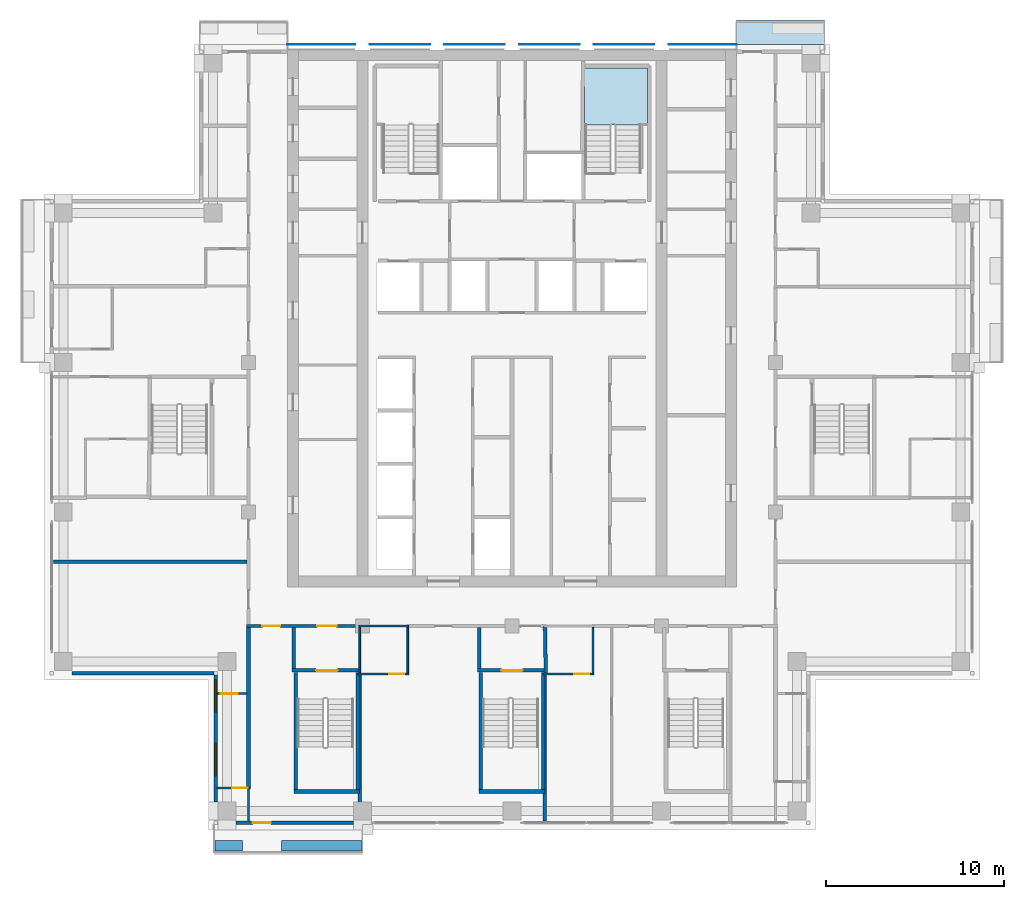
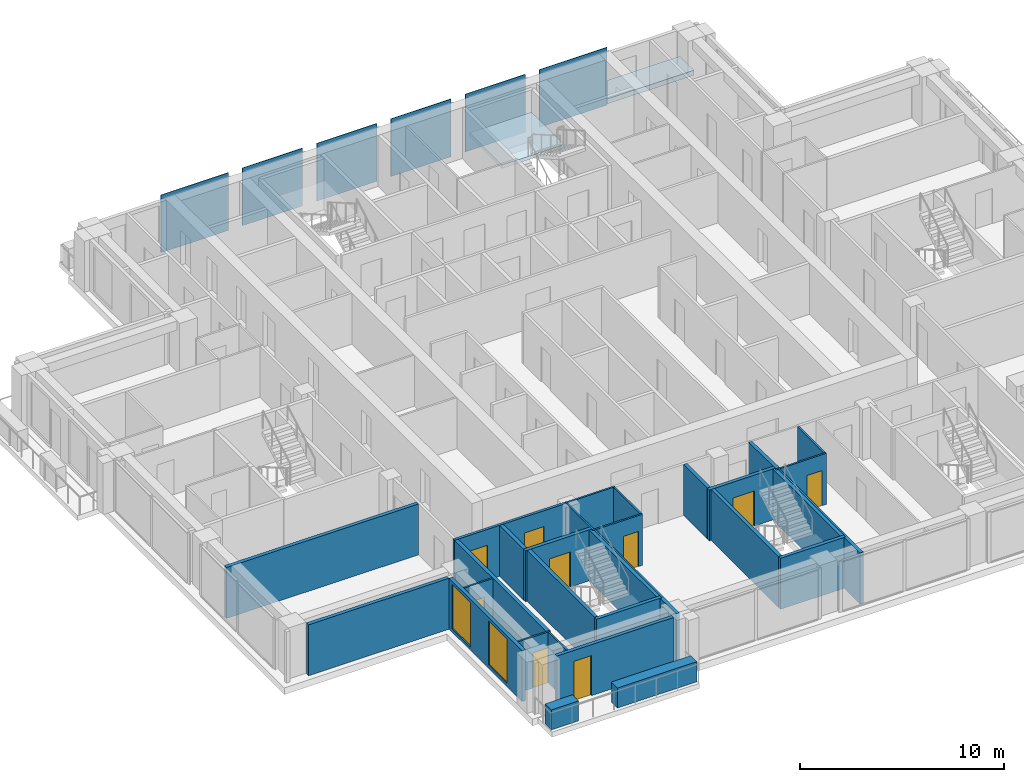
# One storey, part 7 of 16: 30 walls, 9 doors, 6 plates, 2 slabs, 2 windows, 11 openings, 1 element without a shape of its own.
"""IFC4 building model written with IfcOpenShell, lengths in metres."""

from ifc_helpers import new_model, si_unit, direction, frame, frame_2d, origin, origin_2d, place, context, subcontext, project, spatial, polyline, rectangle, outline, extrude, material, layer, layer_set, type_object, element, fill, aggregate, save


model = new_model("IFC4")

# Units and contexts
model_context = context("Model", 3, precision=1e-05, world=origin(), true_north=direction((0.0, 1.0)))
body_context = subcontext(model_context, "Body", "Model", "MODEL_VIEW")
ifc_project = project(units=[si_unit("LENGTHUNIT", "METRE"), si_unit("AREAUNIT", "SQUARE_METRE"), si_unit("VOLUMEUNIT", "CUBIC_METRE"), si_unit("PLANEANGLEUNIT", "RADIAN"), si_unit("MASSUNIT", "GRAM", prefix="KILO")], contexts=[model_context])

# Site, building, storey
site_placement = place(None, origin())
site = spatial("IfcSite", under=ifc_project, at=site_placement, CompositionType="ELEMENT")
building_placement = place(site_placement, origin())
building = spatial("IfcBuilding", under=site, at=building_placement, Name="Vermilion Ogive Tower", CompositionType="ELEMENT")
storey_placement = place(building_placement, frame((0.0, 0.0, 182.449951171875)))
storey = spatial("IfcBuildingStorey", under=building, at=storey_placement, Name="L47", CompositionType="ELEMENT", Elevation=182.449951171875)

# Slab
ifc_material_1 = material(Name="Concrete B40", Category="concrete")
ifc_layer_1 = layer(ifc_material_1, 0.300048828125)
ifc_layer_set_1 = layer_set([ifc_layer_1], Name="Balcony slab")
slab_type_1 = type_object("IfcSlabType", Name="Balcony slab", PredefinedType="FLOOR", material=ifc_layer_set_1)
slab_1_placement = place(storey_placement, frame((0.0, 0.0, -0.33984375)))
element("IfcSlab", 1, at=slab_1_placement, inside=storey, type_object=slab_type_1, Name="Balcony slab N101", PredefinedType="FLOOR", context=body_context, shape_type="SweptSolid", body=[
    extrude(outline(polyline([(17.550048828125, 23.43408203125), (12.60009765625, 23.43408203125), (12.60009765625, 22.050048828125), (17.550048828125, 22.050048828125), (17.550048828125, 23.43408203125)])), origin(), (0.0, 0.0, 1.0), 0.2998046875),
])

# Plates
ifc_material_2 = material(Name="Low-iron laminated glazing in aluminium frame", Category="aluminium")
ifc_layer_2 = layer(ifc_material_2, 0.031982421875)
ifc_layer_set_2 = layer_set([ifc_layer_2], Name="Glazed rainscreen sheet 32")
plate_type = type_object("IfcPlateType", Name="Glazed rainscreen sheet 32", PredefinedType="SHEET", material=ifc_layer_set_2)
plate_1_placement = place(storey_placement, frame((-10.7099609375, 22.06591796875, -0.39990234375), z_axis=(0.0, 0.0, 1.0), x_axis=(1.0, 0.0, 0.0)))
element("IfcPlate", 2, at=plate_1_placement, inside=storey, type_object=plate_type, Name="Glazed rainscreen sheet N1", PredefinedType="SHEET", context=body_context, shape_type="SweptSolid", body=[
    extrude(rectangle(XDim=3.820068359375, YDim=0.031982421875, at=origin_2d()), origin(), (0.0, 0.0, 1.0), 3.449951171875),
])
for number, where, z_axis, x_axis, name in (
    (3, (-6.300048828125, 22.06591796875, -0.39990234375), (0.0, 0.0, 1.0), (1.0, 0.0, 0.0), "Glazed rainscreen sheet N2"),
    (4, (-2.10009765625, 22.06591796875, -0.39990234375), (0.0, 0.0, 1.0), (1.0, 0.0, 0.0), "Glazed rainscreen sheet N3"),
    (5, (2.10009765625, 22.06591796875, -0.39990234375), (0.0, 0.0, 1.0), (1.0, 0.0, 0.0), "Glazed rainscreen sheet N4"),
    (6, (6.300048828125, 22.06591796875, -0.39990234375), (0.0, 0.0, 1.0), (1.0, 0.0, 0.0), "Glazed rainscreen sheet N5"),
):
    element("IfcPlate", number, at=place(storey_placement, frame(where, z_axis=z_axis, x_axis=x_axis)), inside=storey, type_object=plate_type, Name=name, PredefinedType="SHEET", context=body_context, shape_type="SweptSolid", body=[
        extrude(rectangle(XDim=3.39990234375, YDim=0.031982421875, at=origin_2d()), origin(), (0.0, 0.0, 1.0), 3.449951171875),
    ])
plate_2_placement = place(storey_placement, frame((10.7099609375, 22.06591796875, -0.39990234375), z_axis=(0.0, 0.0, 1.0), x_axis=(1.0, 0.0, 0.0)))
element("IfcPlate", 7, at=plate_2_placement, inside=storey, type_object=plate_type, Name="Glazed rainscreen sheet N6", PredefinedType="SHEET", context=body_context, shape_type="SweptSolid", body=[
    extrude(rectangle(XDim=3.820068359375, YDim=0.031982421875, at=origin_2d()), origin(), (0.0, 0.0, 1.0), 3.449951171875),
])

# Stair, slab
ifc_material_3 = material(Name="Concrete B40", Category="concrete")
stair_type = type_object("IfcStairType", Name="Exit stair 1500", PredefinedType="HALF_TURN_STAIR", material=ifc_material_3)
stair_placement = place(storey_placement, origin())
stair = element("IfcStair", 8, at=stair_placement, inside=storey, type_object=stair_type, Name="L47 Exit Stair ST2", PredefinedType="HALF_TURN_STAIR")
ifc_material_4 = material(Name="Concrete B40", Category="concrete")
ifc_layer_3 = layer(ifc_material_4, 0.199951171875)
ifc_layer_set_3 = layer_set([ifc_layer_3], Name="Stair landing 200")
slab_type_2 = type_object("IfcSlabType", Name="Stair landing 200", PredefinedType="LANDING", material=ifc_layer_set_3)
slab_2_placement = place(storey_placement, frame((0.0, 0.0, 1.525146484375)))
slab_2 = element("IfcSlab", 9, at=slab_2_placement, type_object=slab_type_2, Name="ST2 landing 1", PredefinedType="LANDING", context=body_context, shape_type="SweptSolid", body=[
    extrude(outline(polyline([(5.60009765625, 17.550048828125), (5.75, 17.550048828125), (5.75, 17.548095703125), (7.25, 17.548095703125), (7.25, 17.550048828125), (7.60009765625, 17.550048828125), (7.60009765625, 20.75), (4.074951171875, 20.75), (4.074951171875, 17.550048828125), (4.10009765625, 17.550048828125), (4.10009765625, 17.548095703125), (5.60009765625, 17.548095703125), (5.60009765625, 17.550048828125)])), origin(), (0.0, 0.0, 1.0), 0.199951171875),
])
aggregate(stair, [slab_2])

# Wall, opening, door
ifc_material_5 = material(Name="Gypsum board partition on steel studs", Category="steel")
ifc_layer_4 = layer(ifc_material_5, 0.10009765625)
ifc_layer_set_4 = layer_set([ifc_layer_4], Name="Partition 100 bath")
wall_type_1 = type_object("IfcWallType", Name="Partition 100 bath", PredefinedType="PARTITIONING", material=ifc_layer_set_4)
wall_1_placement = place(storey_placement, frame((-16.550048828125, -19.699951171875, 0.0), z_axis=(0.0, 0.0, 1.0), x_axis=(1.0, 0.0, 0.0)))
wall_1 = element("IfcWall", 10, at=wall_1_placement, inside=storey, type_object=wall_type_1, Name="L47-W-W001", PredefinedType="PARTITIONING", context=body_context, shape_type="SweptSolid", body=[
    extrude(rectangle(XDim=1.85009765625, YDim=0.10009765625, at=frame_2d((0.925048828125, 0.0))), origin(), (0.0, 0.0, 1.0), 3.050048828125),
])
opening_1_placement = place(wall_1_placement, frame((0.85009765625, 0.0, 0.0)))
opening_1 = element("IfcOpeningElement", 11, at=opening_1_placement, cuts=wall_1, Name="Opening D4G1003", PredefinedType="OPENING", context=body_context, shape_type="SweptSolid", body=[
    extrude(rectangle(XDim=0.85009765625, YDim=2.10009765625, at=frame_2d((0.425048828125, 1.050048828125))), frame((0.0, 0.06005859375, 0.0), z_axis=(0.0, -1.0, 0.0), x_axis=(1.0, 0.0, 0.0)), (0.0, 0.0, 1.0), 0.1201171875),
])
ifc_material_6 = material(Name="Timber door leaf", Category="wood")
door_type_1 = type_object("IfcDoorType", Name="Bath door 850 x 2100 FD30", OperationType="SINGLE_SWING_LEFT", PredefinedType="DOOR", material=ifc_material_6)
door_1_placement = place(opening_1_placement, origin())
door_1 = element("IfcDoor", 12, at=door_1_placement, inside=storey, type_object=door_type_1, Name="L47-D-D003", OperationType="SINGLE_SWING_RIGHT", OverallHeight=2.10009765625, OverallWidth=0.85009765625, PredefinedType="DOOR", context=body_context, shape_type="SweptSolid", body=[
    extrude(rectangle(XDim=0.85009765625, YDim=2.10009765625, at=frame_2d((0.425048828125, 1.050048828125))), frame((0.0, 0.02490234375, 0.0), z_axis=(0.0, -1.0, 0.0), x_axis=(1.0, 0.0, 0.0)), (0.0, 0.0, 1.0), 0.050048828125),
])
fill(opening_1, door_1)

wall_2_placement = place(storey_placement, frame((-8.64990234375, -13.300048828125, 0.0), z_axis=(0.0, 0.0, 1.0), x_axis=(1.0, 0.0, 0.0)))
wall_2 = element("IfcWall", 13, at=wall_2_placement, inside=storey, type_object=wall_type_1, Name="L47-W-W008", PredefinedType="PARTITIONING", context=body_context, shape_type="SweptSolid", body=[
    extrude(rectangle(XDim=2.847900390625, YDim=0.10009765625, at=frame_2d((1.423828125, 0.0))), origin(), (0.0, 0.0, 1.0), 3.050048828125),
])
opening_2_placement = place(wall_2_placement, frame((1.75, 0.0, 0.0)))
opening_2 = element("IfcOpeningElement", 14, at=opening_2_placement, cuts=wall_2, Name="Opening D4G1013", PredefinedType="OPENING", context=body_context, shape_type="SweptSolid", body=[
    extrude(rectangle(XDim=0.85009765625, YDim=2.10009765625, at=frame_2d((0.425048828125, 1.050048828125))), frame((0.0, 0.06005859375, 0.0), z_axis=(0.0, -1.0, 0.0), x_axis=(1.0, 0.0, 0.0)), (0.0, 0.0, 1.0), 0.1201171875),
])
door_2_placement = place(opening_2_placement, origin())
door_2 = element("IfcDoor", 15, at=door_2_placement, inside=storey, type_object=door_type_1, Name="L47-D-D013", OperationType="SINGLE_SWING_RIGHT", OverallHeight=2.10009765625, OverallWidth=0.85009765625, PredefinedType="DOOR", context=body_context, shape_type="SweptSolid", body=[
    extrude(rectangle(XDim=0.85009765625, YDim=2.10009765625, at=frame_2d((0.425048828125, 1.050048828125))), frame((0.0, 0.02490234375, 0.0), z_axis=(0.0, -1.0, 0.0), x_axis=(1.0, 0.0, 0.0)), (0.0, 0.0, 1.0), 0.050048828125),
])
fill(opening_2, door_2)

wall_3_placement = place(storey_placement, frame((1.75, -13.300048828125, 0.0), z_axis=(0.0, 0.0, 1.0), x_axis=(1.0, 0.0, 0.0)))
wall_3 = element("IfcWall", 16, at=wall_3_placement, inside=storey, type_object=wall_type_1, Name="L47-W-W009", PredefinedType="PARTITIONING", context=body_context, shape_type="SweptSolid", body=[
    extrude(rectangle(XDim=2.85009765625, YDim=0.10009765625, at=frame_2d((1.425048828125, 0.0))), origin(), (0.0, 0.0, 1.0), 3.050048828125),
])
opening_3_placement = place(wall_3_placement, frame((1.75, 0.0, 0.0)))
opening_3 = element("IfcOpeningElement", 17, at=opening_3_placement, cuts=wall_3, Name="Opening D4G1016", PredefinedType="OPENING", context=body_context, shape_type="SweptSolid", body=[
    extrude(rectangle(XDim=0.85009765625, YDim=2.10009765625, at=frame_2d((0.425048828125, 1.050048828125))), frame((0.0, 0.06005859375, 0.0), z_axis=(0.0, -1.0, 0.0), x_axis=(1.0, 0.0, 0.0)), (0.0, 0.0, 1.0), 0.1201171875),
])
door_3_placement = place(opening_3_placement, origin())
door_3 = element("IfcDoor", 18, at=door_3_placement, inside=storey, type_object=door_type_1, Name="L47-D-D016", OperationType="SINGLE_SWING_RIGHT", OverallHeight=2.10009765625, OverallWidth=0.85009765625, PredefinedType="DOOR", context=body_context, shape_type="SweptSolid", body=[
    extrude(rectangle(XDim=0.85009765625, YDim=2.10009765625, at=frame_2d((0.425048828125, 1.050048828125))), frame((0.0, 0.02490234375, 0.0), z_axis=(0.0, -1.0, 0.0), x_axis=(1.0, 0.0, 0.0)), (0.0, 0.0, 1.0), 0.050048828125),
])
fill(opening_3, door_3)

# Walls
wall_4_placement = place(storey_placement, frame((-8.60009765625, -10.60009765625, 0.0), z_axis=(0.0, 0.0, 1.0), x_axis=(1.0, 0.0, 0.0)))
element("IfcWall", 19, at=wall_4_placement, inside=storey, type_object=wall_type_1, Name="L47-W-W014", PredefinedType="PARTITIONING", context=body_context, shape_type="SweptSolid", body=[
    extrude(rectangle(XDim=2.800048828125, YDim=0.10009765625, at=frame_2d((1.39990234375, 0.0))), origin(), (0.0, 0.0, 1.0), 3.050048828125),
])
wall_5_placement = place(storey_placement, frame((-14.800048828125, -21.550048828125, 0.0), z_axis=(0.0, 0.0, 1.0), x_axis=(0.0, 1.0, 0.0)))
element("IfcWall", 20, at=wall_5_placement, inside=storey, type_object=wall_type_1, Name="L47-W-W048", PredefinedType="PARTITIONING", context=body_context, shape_type="SweptSolid", body=[
    extrude(rectangle(XDim=1.800048828125, YDim=0.10009765625, at=frame_2d((0.89990234375, 0.0))), origin(), (0.0, 0.0, 1.0), 3.050048828125),
])
wall_6_placement = place(storey_placement, frame((-8.550048828125, -13.25, 0.0), z_axis=(0.0, 0.0, 1.0), x_axis=(0.0, 1.0, 0.0)))
element("IfcWall", 21, at=wall_6_placement, inside=storey, type_object=wall_type_1, Name="L47-W-W057", PredefinedType="PARTITIONING", context=body_context, shape_type="SweptSolid", body=[
    extrude(rectangle(XDim=2.574951171875, YDim=0.10009765625, at=frame_2d((1.28759765625, 0.0))), origin(), (0.0, 0.0, 1.0), 3.050048828125),
])
wall_7_placement = place(storey_placement, frame((-5.85009765625, -13.248046875, 0.0), z_axis=(0.0, 0.0, 1.0), x_axis=(0.0, 1.0, 0.0)))
element("IfcWall", 22, at=wall_7_placement, inside=storey, type_object=wall_type_1, Name="L47-W-W058", PredefinedType="PARTITIONING", context=body_context, shape_type="SweptSolid", body=[
    extrude(rectangle(XDim=2.572998046875, YDim=0.10009765625, at=frame_2d((1.28662109375, 0.0))), origin(), (0.0, 0.0, 1.0), 3.050048828125),
])
wall_8_placement = place(storey_placement, frame((4.550048828125, -13.25, 0.0), z_axis=(0.0, 0.0, 1.0), x_axis=(0.0, 1.0, 0.0)))
element("IfcWall", 23, at=wall_8_placement, inside=storey, type_object=wall_type_1, Name="L47-W-W064", PredefinedType="PARTITIONING", context=body_context, shape_type="SweptSolid", body=[
    extrude(rectangle(XDim=2.574951171875, YDim=0.10009765625, at=frame_2d((1.28759765625, 0.0))), origin(), (0.0, 0.0, 1.0), 3.050048828125),
])

# Wall, opening, door
ifc_material_7 = material(Name="Gypsum board partition on steel studs", Category="steel")
ifc_layer_5 = layer(ifc_material_7, 0.10009765625)
ifc_layer_set_5 = layer_set([ifc_layer_5], Name="Partition 100 inner")
wall_type_2 = type_object("IfcWallType", Name="Partition 100 inner", PredefinedType="PARTITIONING", material=ifc_layer_set_5)
wall_9_placement = place(storey_placement, frame((-16.550048828125, -14.39990234375, 0.0), z_axis=(0.0, 0.0, 1.0), x_axis=(1.0, 0.0, 0.0)))
wall_9 = element("IfcWall", 24, at=wall_9_placement, inside=storey, type_object=wall_type_2, Name="L47-W-W006", PredefinedType="PARTITIONING", context=body_context, shape_type="SweptSolid", body=[
    extrude(rectangle(XDim=1.650146484375, YDim=0.10009765625, at=frame_2d((0.8251953125, 0.0))), origin(), (0.0, 0.0, 1.0), 3.050048828125),
])
opening_4_placement = place(wall_9_placement, frame((0.199951171875, 0.0, 0.0)))
opening_4 = element("IfcOpeningElement", 25, at=opening_4_placement, cuts=wall_9, Name="Opening D4G1002", PredefinedType="OPENING", context=body_context, shape_type="SweptSolid", body=[
    extrude(rectangle(XDim=0.949951171875, YDim=2.10009765625, at=frame_2d((0.47509765625, 1.050048828125))), frame((0.0, 0.06005859375, 0.0), z_axis=(0.0, -1.0, 0.0), x_axis=(1.0, 0.0, 0.0)), (0.0, 0.0, 1.0), 0.1201171875),
])
ifc_material_8 = material(Name="Timber door leaf", Category="wood")
door_type_2 = type_object("IfcDoorType", Name="Inner door 950 x 2100 FD30", OperationType="SINGLE_SWING_LEFT", PredefinedType="DOOR", material=ifc_material_8)
door_4_placement = place(opening_4_placement, origin())
door_4 = element("IfcDoor", 26, at=door_4_placement, inside=storey, type_object=door_type_2, Name="L47-D-D002", OperationType="SINGLE_SWING_RIGHT", OverallHeight=2.10009765625, OverallWidth=0.949951171875, PredefinedType="DOOR", context=body_context, shape_type="SweptSolid", body=[
    extrude(rectangle(XDim=0.949951171875, YDim=2.10009765625, at=frame_2d((0.47509765625, 1.050048828125))), frame((0.0, 0.02490234375, 0.0), z_axis=(0.0, -1.0, 0.0), x_axis=(1.0, 0.0, 0.0)), (0.0, 0.0, 1.0), 0.050048828125),
])
fill(opening_4, door_4)

# Wall, openings, doors
ifc_material_9 = material(Name="Gypsum board partition on steel studs", Category="steel")
ifc_layer_6 = layer(ifc_material_9, 0.14990234375)
ifc_layer_set_6 = layer_set([ifc_layer_6], Name="Partition 150 corridor")
wall_type_3 = type_object("IfcWallType", Name="Partition 150 corridor", PredefinedType="PARTITIONING", material=ifc_layer_set_6)
wall_10_placement = place(storey_placement, frame((-14.89990234375, -10.60009765625, 0.0), z_axis=(0.0, 0.0, 1.0), x_axis=(1.0, 0.0, 0.0)))
wall_10 = element("IfcWall", 27, at=wall_10_placement, inside=storey, type_object=wall_type_3, Name="L47-W-W013", PredefinedType="PARTITIONING", context=body_context, shape_type="SweptSolid", body=[
    extrude(rectangle(XDim=6.39990234375, YDim=0.14990234375, at=frame_2d((3.199951171875, 0.0))), origin(), (0.0, 0.0, 1.0), 3.050048828125),
])
opening_5_placement = place(wall_10_placement, frame((3.949951171875, 0.0, 0.0)))
opening_5 = element("IfcOpeningElement", 28, at=opening_5_placement, cuts=wall_10, Name="Opening D4G1027", PredefinedType="OPENING", context=body_context, shape_type="SweptSolid", body=[
    extrude(rectangle(XDim=1.10009765625, YDim=2.10009765625, at=frame_2d((0.550048828125, 1.050048828125))), frame((0.0, 0.0849609375, 0.0), z_axis=(0.0, -1.0, 0.0), x_axis=(1.0, 0.0, 0.0)), (0.0, 0.0, 1.0), 0.169921875),
])
opening_6_placement = place(wall_10_placement, frame((0.875, 0.0, 0.0)))
opening_6 = element("IfcOpeningElement", 29, at=opening_6_placement, cuts=wall_10, Name="Opening D4G1037", PredefinedType="OPENING", context=body_context, shape_type="SweptSolid", body=[
    extrude(rectangle(XDim=1.0, YDim=2.10009765625, at=frame_2d((0.5, 1.050048828125))), frame((0.0, 0.0849609375, 0.0), z_axis=(0.0, -1.0, 0.0), x_axis=(1.0, 0.0, 0.0)), (0.0, 0.0, 1.0), 0.169921875),
])
ifc_material_10 = material(Name="Timber door leaf", Category="wood")
door_type_3 = type_object("IfcDoorType", Name="Stair door 1100 x 2100 FD60S", OperationType="SINGLE_SWING_LEFT", PredefinedType="DOOR", material=ifc_material_10)
door_5_placement = place(opening_5_placement, origin())
door_5 = element("IfcDoor", 30, at=door_5_placement, inside=storey, type_object=door_type_3, Name="L47-D-D027", OperationType="SINGLE_SWING_RIGHT", OverallHeight=2.10009765625, OverallWidth=1.10009765625, PredefinedType="DOOR", context=body_context, shape_type="SweptSolid", body=[
    extrude(rectangle(XDim=1.10009765625, YDim=2.10009765625, at=frame_2d((0.550048828125, 1.050048828125))), frame((0.0, 0.02490234375, 0.0), z_axis=(0.0, -1.0, 0.0), x_axis=(1.0, 0.0, 0.0)), (0.0, 0.0, 1.0), 0.050048828125),
])
fill(opening_5, door_5)
ifc_material_11 = material(Name="Timber door leaf", Category="wood")
door_type_4 = type_object("IfcDoorType", Name="Unit door 1000 x 2100 FD30S", OperationType="SINGLE_SWING_LEFT", PredefinedType="DOOR", material=ifc_material_11)
door_6_placement = place(opening_6_placement, origin())
door_6 = element("IfcDoor", 31, at=door_6_placement, inside=storey, type_object=door_type_4, Name="L47-D-D037", OperationType="SINGLE_SWING_RIGHT", OverallHeight=2.10009765625, OverallWidth=1.0, PredefinedType="DOOR", context=body_context, shape_type="SweptSolid", body=[
    extrude(rectangle(XDim=1.0, YDim=2.10009765625, at=frame_2d((0.5, 1.050048828125))), frame((0.0, 0.02490234375, 0.0), z_axis=(0.0, -1.0, 0.0), x_axis=(1.0, 0.0, 0.0)), (0.0, 0.0, 1.0), 0.050048828125),
])
fill(opening_6, door_6)

# Walls
ifc_material_12 = material(Name="Gypsum board partition on steel studs", Category="steel")
ifc_layer_7 = layer(ifc_material_12, 0.199951171875)
ifc_layer_set_7 = layer_set([ifc_layer_7], Name="Partition 200 party")
wall_type_4 = type_object("IfcWallType", Name="Partition 200 party", PredefinedType="PARTITIONING", material=ifc_layer_set_7)
wall_11_placement = place(storey_placement, frame((-25.75, -7.0, 0.0), z_axis=(0.0, 0.0, 1.0), x_axis=(1.0, 0.0, 0.0)))
element("IfcWall", 32, at=wall_11_placement, inside=storey, type_object=wall_type_4, Name="L47-W-W018", PredefinedType="PARTITIONING", context=body_context, shape_type="SweptSolid", body=[
    extrude(rectangle(XDim=10.875, YDim=0.199951171875, at=frame_2d((5.4375, 0.0))), origin(), (0.0, 0.0, 1.0), 3.050048828125),
])
wall_12_placement = place(storey_placement, frame((-14.800048828125, -19.64990234375, 0.0), z_axis=(0.0, 0.0, 1.0), x_axis=(0.0, 1.0, 0.0)))
element("IfcWall", 33, at=wall_12_placement, inside=storey, type_object=wall_type_4, Name="L47-W-W049", PredefinedType="PARTITIONING", context=body_context, shape_type="SweptSolid", body=[
    extrude(rectangle(XDim=8.974853515625, YDim=0.199951171875, at=frame_2d((4.4873046875, 0.0))), origin(), (0.0, 0.0, 1.0), 3.050048828125),
])
for number, where, z_axis, x_axis, name in (
    (34, (-12.25, -12.998046875, 0.0), (0.0, 0.0, 1.0), (0.0, 1.0, 0.0), "L47-W-W053"),
    (35, (-1.85009765625, -12.998046875, 0.0), (0.0, 0.0, 1.0), (0.0, 1.0, 0.0), "L47-W-W059"),
):
    element("IfcWall", number, at=place(storey_placement, frame(where, z_axis=z_axis, x_axis=x_axis)), inside=storey, type_object=wall_type_4, Name=name, PredefinedType="PARTITIONING", context=body_context, shape_type="SweptSolid", body=[
        extrude(rectangle(XDim=2.322998046875, YDim=0.199951171875, at=frame_2d((1.16162109375, 0.0))), origin(), (0.0, 0.0, 1.0), 3.050048828125),
    ])
ifc_material_13 = material(Name="Concrete B60", Category="concrete")
ifc_layer_8 = layer(ifc_material_13, 0.199951171875)
ifc_layer_set_8 = layer_set([ifc_layer_8], Name="Stair shaft wall 200 Concrete B60")
wall_type_5 = type_object("IfcWallType", Name="Stair shaft wall 200 Concrete B60", PredefinedType="SOLIDWALL", material=ifc_layer_set_8)
wall_13_placement = place(storey_placement, frame((-12.248046875, -19.89990234375, 0.0), z_axis=(0.0, 0.0, 1.0), x_axis=(1.0, 0.0, 0.0)))
element("IfcWall", 36, at=wall_13_placement, inside=storey, type_object=wall_type_5, Name="L47-W-W002", PredefinedType="SOLIDWALL", context=body_context, shape_type="SweptSolid", body=[
    extrude(rectangle(XDim=3.696044921875, YDim=0.199951171875, at=frame_2d((1.84814453125, 0.0))), origin(), (0.0, 0.0, 1.0), 3.050048828125),
])
wall_14_placement = place(storey_placement, frame((-1.847900390625, -19.89990234375, 0.0), z_axis=(0.0, 0.0, 1.0), x_axis=(1.0, 0.0, 0.0)))
element("IfcWall", 37, at=wall_14_placement, inside=storey, type_object=wall_type_5, Name="L47-W-W003", PredefinedType="SOLIDWALL", context=body_context, shape_type="SweptSolid", body=[
    extrude(rectangle(XDim=3.69580078125, YDim=0.199951171875, at=frame_2d((1.847900390625, 0.0))), origin(), (0.0, 0.0, 1.0), 3.050048828125),
])

# Wall, opening, door
wall_15_placement = place(storey_placement, frame((-12.347900390625, -13.10009765625, 0.0), z_axis=(0.0, 0.0, 1.0), x_axis=(1.0, 0.0, 0.0)))
wall_15 = element("IfcWall", 38, at=wall_15_placement, inside=storey, type_object=wall_type_5, Name="L47-W-W010", PredefinedType="SOLIDWALL", context=body_context, shape_type="SweptSolid", body=[
    extrude(rectangle(XDim=3.745849609375, YDim=0.199951171875, at=frame_2d((1.873046875, 0.0))), origin(), (0.0, 0.0, 1.0), 3.050048828125),
])
opening_7_placement = place(wall_15_placement, frame((1.347900390625, 0.0, 0.0)))
opening_7 = element("IfcOpeningElement", 39, at=opening_7_placement, cuts=wall_15, Name="Opening D4G1028", PredefinedType="OPENING", context=body_context, shape_type="SweptSolid", body=[
    extrude(rectangle(XDim=1.199951171875, YDim=2.10009765625, at=frame_2d((0.60009765625, 1.050048828125))), frame((0.0, 0.10986328125, 0.0), z_axis=(0.0, -1.0, 0.0), x_axis=(1.0, 0.0, 0.0)), (0.0, 0.0, 1.0), 0.219970703125),
])
ifc_material_14 = material(Name="Timber door leaf", Category="wood")
door_type_5 = type_object("IfcDoorType", Name="Stair door 1200 x 2100 FD60S", OperationType="SINGLE_SWING_LEFT", PredefinedType="DOOR", material=ifc_material_14)
door_7_placement = place(opening_7_placement, origin())
door_7 = element("IfcDoor", 40, at=door_7_placement, inside=storey, type_object=door_type_5, Name="L47-D-D028", OperationType="SINGLE_SWING_RIGHT", OverallHeight=2.10009765625, OverallWidth=1.199951171875, PredefinedType="DOOR", context=body_context, shape_type="SweptSolid", body=[
    extrude(rectangle(XDim=1.199951171875, YDim=2.10009765625, at=frame_2d((0.60009765625, 1.050048828125))), frame((0.0, 0.02490234375, 0.0), z_axis=(0.0, -1.0, 0.0), x_axis=(1.0, 0.0, 0.0)), (0.0, 0.0, 1.0), 0.050048828125),
])
fill(opening_7, door_7)

wall_16_placement = place(storey_placement, frame((-1.947998046875, -13.10009765625, 0.0), z_axis=(0.0, 0.0, 1.0), x_axis=(1.0, 0.0, 0.0)))
wall_16 = element("IfcWall", 41, at=wall_16_placement, inside=storey, type_object=wall_type_5, Name="L47-W-W011", PredefinedType="SOLIDWALL", context=body_context, shape_type="SweptSolid", body=[
    extrude(rectangle(XDim=3.74609375, YDim=0.199951171875, at=frame_2d((1.873046875, 0.0))), origin(), (0.0, 0.0, 1.0), 3.050048828125),
])
opening_8_placement = place(wall_16_placement, frame((1.347900390625, 0.0, 0.0)))
opening_8 = element("IfcOpeningElement", 42, at=opening_8_placement, cuts=wall_16, Name="Opening D4G1030", PredefinedType="OPENING", context=body_context, shape_type="SweptSolid", body=[
    extrude(rectangle(XDim=1.199951171875, YDim=2.10009765625, at=frame_2d((0.60009765625, 1.050048828125))), frame((0.0, 0.10986328125, 0.0), z_axis=(0.0, -1.0, 0.0), x_axis=(1.0, 0.0, 0.0)), (0.0, 0.0, 1.0), 0.219970703125),
])
door_8_placement = place(opening_8_placement, origin())
door_8 = element("IfcDoor", 43, at=door_8_placement, inside=storey, type_object=door_type_5, Name="L47-D-D030", OperationType="SINGLE_SWING_RIGHT", OverallHeight=2.10009765625, OverallWidth=1.199951171875, PredefinedType="DOOR", context=body_context, shape_type="SweptSolid", body=[
    extrude(rectangle(XDim=1.199951171875, YDim=2.10009765625, at=frame_2d((0.60009765625, 1.050048828125))), frame((0.0, 0.02490234375, 0.0), z_axis=(0.0, -1.0, 0.0), x_axis=(1.0, 0.0, 0.0)), (0.0, 0.0, 1.0), 0.050048828125),
])
fill(opening_8, door_8)

# Walls
for number, where, z_axis, x_axis, name in (
    (44, (-12.14990234375, -19.798095703125, 0.0), (0.0, 0.0, 1.0), (0.0, 1.0, 0.0), "L47-W-W054"),
    (45, (-8.64990234375, -19.798095703125, 0.0), (0.0, 0.0, 1.0), (0.0, 1.0, 0.0), "L47-W-W055"),
    (46, (-1.75, -19.798095703125, 0.0), (0.0, 0.0, 1.0), (0.0, 1.0, 0.0), "L47-W-W060"),
    (47, (1.75, -19.798095703125, 0.0), (0.0, 0.0, 1.0), (0.0, 1.0, 0.0), "L47-W-W061"),
):
    element("IfcWall", number, at=place(storey_placement, frame(where, z_axis=z_axis, x_axis=x_axis)), inside=storey, type_object=wall_type_5, Name=name, PredefinedType="SOLIDWALL", context=body_context, shape_type="SweptSolid", body=[
        extrude(rectangle(XDim=6.59619140625, YDim=0.199951171875, at=frame_2d((3.298095703125, 0.0))), origin(), (0.0, 0.0, 1.0), 3.050048828125),
    ])
wall_17_placement = place(storey_placement, frame((1.900146484375, -13.25, 0.0), z_axis=(0.0, 0.0, 1.0), x_axis=(-0.019062755699, 0.999818289163, 0.0)))
element("IfcWall", 48, at=wall_17_placement, inside=storey, type_object=wall_type_5, Name="L47-W-W063", PredefinedType="SOLIDWALL", context=body_context, shape_type="SweptSolid", body=[
    extrude(rectangle(XDim=2.62548828125, YDim=0.199951171875, at=frame_2d((1.312744140625, 0.0))), origin(), (0.0, 0.0, 1.0), 3.050048828125),
])
for number, where, z_axis, x_axis, name in (
    (49, (1.85009765625, -21.550048828125, 0.0), (0.0, 0.0, 1.0), (0.0, 1.0, 0.0), "L47-W-W062-A"),
    (50, (-8.550048828125, -21.550048828125, 0.0), (0.0, 0.0, 1.0), (0.0, 1.0, 0.0), "L47-W-W056-A"),
):
    element("IfcWall", number, at=place(storey_placement, frame(where, z_axis=z_axis, x_axis=x_axis)), inside=storey, type_object=wall_type_5, Name=name, PredefinedType="SOLIDWALL", context=body_context, shape_type="SweptSolid", body=[
        extrude(rectangle(XDim=8.199951171875, YDim=0.199951171875, at=frame_2d((4.10009765625, 0.0))), origin(), (0.0, 0.0, 1.0), 3.050048828125),
    ])
ifc_material_15 = material(Name="Concrete B40", Category="concrete")
ifc_layer_9 = layer(ifc_material_15, 0.60009765625)
ifc_layer_set_9 = layer_set([ifc_layer_9], Name="Structural planter")
wall_type_6 = type_object("IfcWallType", Name="Structural planter", PredefinedType="USERDEFINED", material=ifc_layer_set_9)
wall_18_placement = place(storey_placement, frame((-16.68994140625, -22.9541015625, -0.0400390625), z_axis=(0.0, 0.0, 1.0), x_axis=(1.0, 0.0, 0.0)))
element("IfcWall", 51, at=wall_18_placement, inside=storey, type_object=wall_type_6, Name="Planter S01A1", ObjectType="PLANTER", PredefinedType="USERDEFINED", context=body_context, shape_type="SweptSolid", body=[
    extrude(rectangle(XDim=1.5400390625, YDim=0.60009765625, at=frame_2d((0.77001953125, 0.0))), origin(), (0.0, 0.0, 1.0), 1.2001953125),
])
wall_19_placement = place(storey_placement, frame((-12.949951171875, -22.9541015625, -0.0400390625), z_axis=(0.0, 0.0, 1.0), x_axis=(1.0, 0.0, 0.0)))
element("IfcWall", 52, at=wall_19_placement, inside=storey, type_object=wall_type_6, Name="Planter S01A2", ObjectType="PLANTER", PredefinedType="USERDEFINED", context=body_context, shape_type="SweptSolid", body=[
    extrude(rectangle(XDim=4.489990234375, YDim=0.60009765625, at=frame_2d((2.2451171875, 0.0))), origin(), (0.0, 0.0, 1.0), 1.2001953125),
])

# Wall, opening, door
ifc_material_16 = material(Name="Aluminium window wall framing", Category="aluminium")
ifc_layer_10 = layer(ifc_material_16, 0.199951171875)
ifc_layer_set_10 = layer_set([ifc_layer_10], Name="Window wall")
wall_type_7 = type_object("IfcWallType", Name="Window wall", PredefinedType="STANDARD", material=ifc_layer_set_10)
wall_20_placement = place(storey_placement, frame((-15.5, -21.64990234375, 0.0), z_axis=(0.0, 0.0, 1.0), x_axis=(1.0, 0.0, 0.0)))
wall_20 = element("IfcWall", 53, at=wall_20_placement, inside=storey, type_object=wall_type_7, Name="Window wall S1", PredefinedType="STANDARD", context=body_context, shape_type="SweptSolid", body=[
    extrude(rectangle(XDim=6.60009765625, YDim=0.199951171875, at=frame_2d((3.300048828125, 0.0))), origin(), (0.0, 0.0, 1.0), 3.050048828125),
])
opening_9_placement = place(wall_20_placement, frame((0.949951171875, 0.0, 0.0)))
opening_9 = element("IfcOpeningElement", 54, at=opening_9_placement, cuts=wall_20, Name="Opening D1-S96K", PredefinedType="OPENING", context=body_context, shape_type="SweptSolid", body=[
    extrude(rectangle(XDim=1.0, YDim=2.39990234375, at=frame_2d((0.5, 1.199951171875))), frame((0.0, 0.10986328125, 0.0), z_axis=(0.0, -1.0, 0.0), x_axis=(1.0, 0.0, 0.0)), (0.0, 0.0, 1.0), 0.219970703125),
])
ifc_material_17 = material(Name="Aluminium framed glazed door", Category="aluminium")
door_type_6 = type_object("IfcDoorType", Name="Balcony door D1", OperationType="SINGLE_SWING_LEFT", PredefinedType="DOOR", material=ifc_material_17)
door_9_placement = place(opening_9_placement, origin())
door_9 = element("IfcDoor", 55, at=door_9_placement, inside=storey, type_object=door_type_6, Name="Balcony door S96K", OperationType="SINGLE_SWING_LEFT", OverallHeight=2.39990234375, OverallWidth=1.0, PredefinedType="DOOR", context=body_context, shape_type="SweptSolid", body=[
    extrude(rectangle(XDim=1.0, YDim=2.39990234375, at=frame_2d((0.5, 1.199951171875))), frame((0.0, 0.02490234375, 0.0), z_axis=(0.0, -1.0, 0.0), x_axis=(1.0, 0.0, 0.0)), (0.0, 0.0, 1.0), 0.050048828125),
])
fill(opening_9, door_9)

# Wall
wall_21_placement = place(storey_placement, frame((-24.699951171875, -13.25, 0.0), z_axis=(0.0, 0.0, 1.0), x_axis=(1.0, 0.0, 0.0)))
element("IfcWall", 56, at=wall_21_placement, inside=storey, type_object=wall_type_7, Name="Window wall X71", PredefinedType="STANDARD", context=body_context, shape_type="SweptSolid", body=[
    extrude(rectangle(XDim=7.949951171875, YDim=0.199951171875, at=frame_2d((3.97509765625, 0.0))), origin(), (0.0, 0.0, 1.0), 3.050048828125),
])

# Wall, openings, windows
wall_22_placement = place(storey_placement, frame((-16.64990234375, -13.35009765625, 0.0), z_axis=(0.0, 0.0, 1.0), x_axis=(0.0, -1.0, 0.0)))
wall_22 = element("IfcWall", 57, at=wall_22_placement, inside=storey, type_object=wall_type_7, Name="Window wall X81", PredefinedType="STANDARD", context=body_context, shape_type="SweptSolid", body=[
    extrude(rectangle(XDim=7.14990234375, YDim=0.199951171875, at=frame_2d((3.574951171875, 0.0))), origin(), (0.0, 0.0, 1.0), 3.050048828125),
])
opening_10_placement = place(wall_22_placement, frame((3.85009765625, 0.0, 0.199951171875)))
opening_10 = element("IfcOpeningElement", 58, at=opening_10_placement, cuts=wall_22, Name="Opening W1-X895", PredefinedType="OPENING", context=body_context, shape_type="SweptSolid", body=[
    extrude(rectangle(XDim=1.800048828125, YDim=2.64990234375, at=frame_2d((0.89990234375, 1.324951171875))), frame((0.0, 0.10986328125, 0.0), z_axis=(0.0, -1.0, 0.0), x_axis=(1.0, 0.0, 0.0)), (0.0, 0.0, 1.0), 0.219970703125),
])
opening_11_placement = place(wall_22_placement, frame((0.27490234375, 0.0, 0.199951171875)))
opening_11 = element("IfcOpeningElement", 59, at=opening_11_placement, cuts=wall_22, Name="Opening W1-X896", PredefinedType="OPENING", context=body_context, shape_type="SweptSolid", body=[
    extrude(rectangle(XDim=1.800048828125, YDim=2.64990234375, at=frame_2d((0.89990234375, 1.324951171875))), frame((0.0, 0.10986328125, 0.0), z_axis=(0.0, -1.0, 0.0), x_axis=(1.0, 0.0, 0.0)), (0.0, 0.0, 1.0), 0.219970703125),
])
ifc_material_18 = material(Name="Aluminium framed double glazing", Category="aluminium")
window_type = type_object("IfcWindowType", Name="Guest window W1", PartitioningType="SINGLE_PANEL", PredefinedType="WINDOW", material=ifc_material_18)
window_1_placement = place(opening_10_placement, origin())
window_1 = element("IfcWindow", 60, at=window_1_placement, inside=storey, type_object=window_type, Name="Window X895", OverallHeight=2.64990234375, OverallWidth=1.800048828125, PartitioningType="SINGLE_PANEL", PredefinedType="WINDOW", context=body_context, shape_type="SweptSolid", body=[
    extrude(rectangle(XDim=1.800048828125, YDim=2.64990234375, at=frame_2d((0.89990234375, 1.324951171875))), frame((0.0, 0.030029296875, 0.0), z_axis=(0.0, -1.0, 0.0), x_axis=(1.0, 0.0, 0.0)), (0.0, 0.0, 1.0), 0.06005859375),
])
fill(opening_10, window_1)
window_2_placement = place(opening_11_placement, origin())
window_2 = element("IfcWindow", 61, at=window_2_placement, inside=storey, type_object=window_type, Name="Window X896", OverallHeight=2.64990234375, OverallWidth=1.800048828125, PartitioningType="SINGLE_PANEL", PredefinedType="WINDOW", context=body_context, shape_type="SweptSolid", body=[
    extrude(rectangle(XDim=1.800048828125, YDim=2.64990234375, at=frame_2d((0.89990234375, 1.324951171875))), frame((0.0, 0.030029296875, 0.0), z_axis=(0.0, -1.0, 0.0), x_axis=(1.0, 0.0, 0.0)), (0.0, 0.0, 1.0), 0.06005859375),
])
fill(opening_11, window_2)

save(model, "model.ifc")
